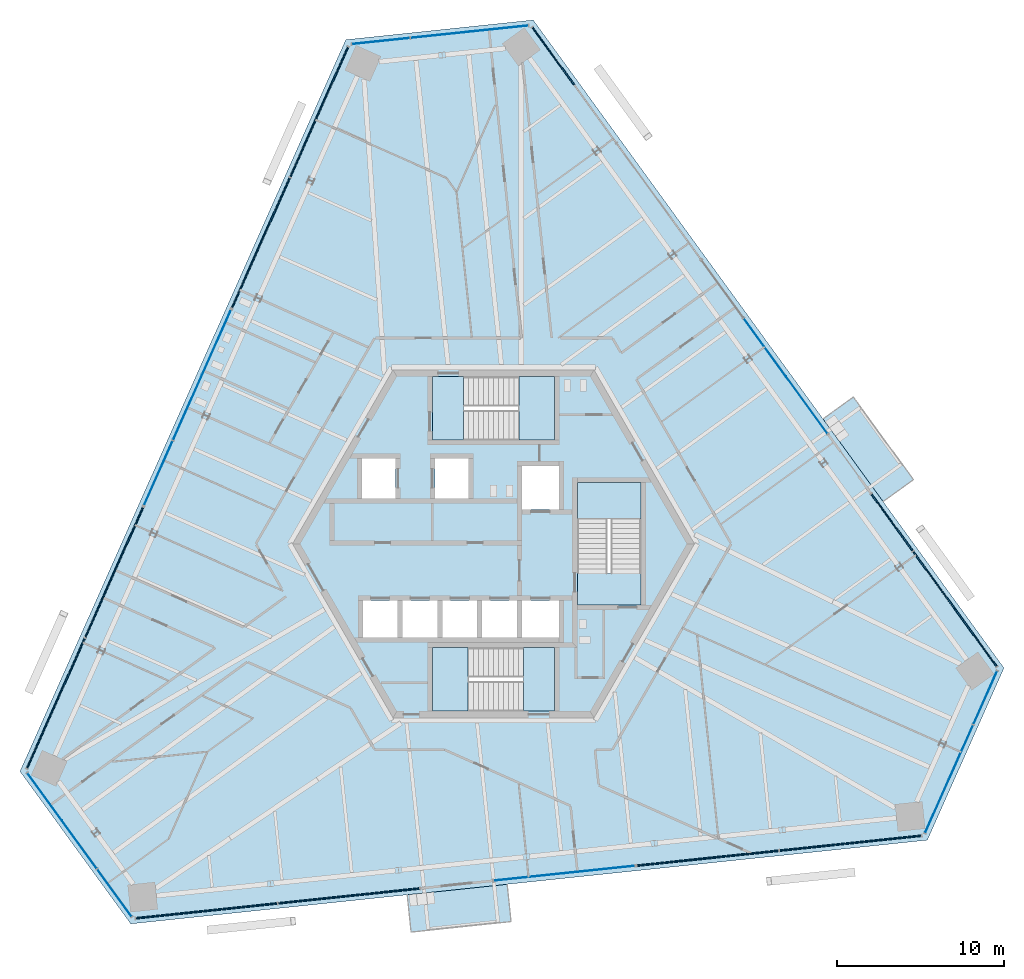
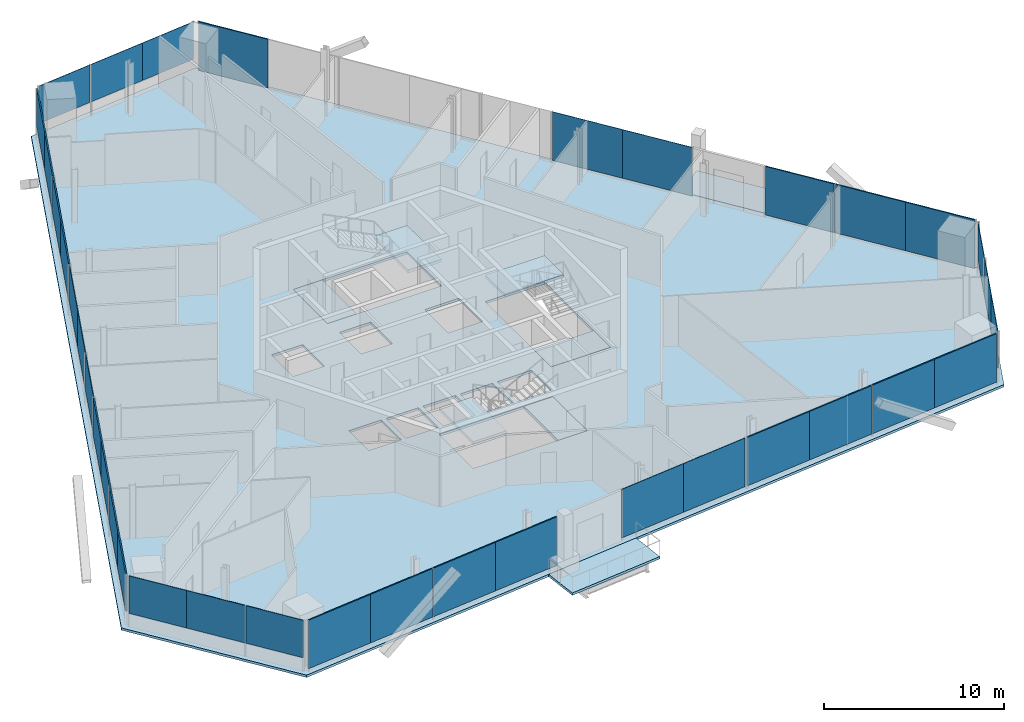
# One storey, part 10 of 19: 36 plates, 9 slabs, 15 elements without a shape of their own.
"""IFC4 building model written with IfcOpenShell, lengths in metres."""

from ifc_helpers import new_model, si_unit, direction, frame, origin, origin_2d, place, context, subcontext, project, spatial, polyline, rectangle, outline, extrude, source, transform, mapped, material, layer, layer_set, type_object, element, aggregate, save


model = new_model("IFC4")

# Units and contexts
model_context = context("Model", 3, precision=1e-05, world=origin(), true_north=direction((0.0, 1.0)))
body_context = subcontext(model_context, "Body", "Model", "MODEL_VIEW")
ifc_project = project(units=[si_unit("LENGTHUNIT", "METRE"), si_unit("AREAUNIT", "SQUARE_METRE"), si_unit("VOLUMEUNIT", "CUBIC_METRE"), si_unit("PLANEANGLEUNIT", "RADIAN"), si_unit("MASSUNIT", "GRAM", prefix="KILO")], contexts=[model_context])

# Site, building, storey
site_placement = place(None, origin())
site = spatial("IfcSite", under=ifc_project, at=site_placement, CompositionType="ELEMENT")
building_placement = place(site_placement, origin())
building = spatial("IfcBuilding", under=site, at=building_placement, Name="Triune Harvest Tower", CompositionType="ELEMENT")
storey_placement = place(building_placement, frame((0.0, 0.0, 223.300048828125)))
storey = spatial("IfcBuildingStorey", under=building, at=storey_placement, Name="L58", CompositionType="ELEMENT", Elevation=223.300048828125)

# Slabs
ifc_material_1 = material(Name="Concrete 40 MPa", Category="concrete")
ifc_layer_1 = layer(ifc_material_1, 0.159912109375)
ifc_layer_set_1 = layer_set([ifc_layer_1], Name="Concrete 40 MPa")
slab_type_1 = type_object("IfcSlabType", Name="BA-1 balcony slab 160", PredefinedType="FLOOR", material=ifc_layer_set_1)
slab_1_placement = place(storey_placement, frame((0.0, 0.0, -0.16015625)))
element("IfcSlab", 1, at=slab_1_placement, inside=storey, type_object=slab_type_1, Name="Balcony slab B6-F1 L58.4", PredefinedType="FLOOR", context=body_context, shape_type="SweptSolid", body=[
    extrude(outline(polyline([(23.263427734375, 2.52294921875), (19.67822265625, 7.457763671875), (21.48583984375, 8.77099609375), (25.0712890625, 3.83642578125), (23.263427734375, 2.52294921875)])), origin(), (0.0, 0.0, 1.0), 0.16015625),
])
slab_2_placement = place(storey_placement, frame((0.0, 0.0, -0.16015625)))
element("IfcSlab", 2, at=slab_2_placement, inside=storey, type_object=slab_type_1, Name="Balcony slab B6-F5 L58.5", PredefinedType="FLOOR", context=body_context, shape_type="SweptSolid", body=[
    extrude(outline(polyline([(-5.154052734375, -20.95703125), (0.81298828125, -20.329833984375), (1.046630859375, -22.552001953125), (-4.92041015625, -23.17919921875), (-5.154052734375, -20.95703125)])), origin(), (0.0, 0.0, 1.0), 0.16015625),
])
ifc_material_2 = material(Name="Concrete 40 MPa", Category="concrete")
ifc_layer_2 = layer(ifc_material_2, 0.159912109375)
ifc_layer_set_2 = layer_set([ifc_layer_2], Name="Concrete 40 MPa")
slab_type_2 = type_object("IfcSlabType", Name="SL-1 Composite floor slab 160", PredefinedType="FLOOR", material=ifc_layer_set_2)
shared_shape_1 = source(origin(), body_context, "Body", "SweptSolid", [
    extrude(outline(polyline([(30.481689453125, -7.412109375), (2.3701171875, 31.280517578125), (-8.82177734375, 30.10400390625), (-28.274658203125, -13.587646484375), (-21.659912109375, -22.69189453125), (25.904541015625, -17.692626953125), (30.481689453125, -7.412109375)]), holes=[polyline([(-5.72509765625, -5.590087890625), (-5.72509765625, -3.389892578125), (-7.800048828125, -3.389892578125), (-7.800048828125, -5.590087890625), (-5.72509765625, -5.590087890625)]), polyline([(-3.35009765625, -5.590087890625), (-3.35009765625, -3.389892578125), (-5.425048828125, -3.389892578125), (-5.425048828125, -5.590087890625), (-3.35009765625, -5.590087890625)]), polyline([(-0.97509765625, -5.590087890625), (-0.97509765625, -3.389892578125), (-3.050048828125, -3.389892578125), (-3.050048828125, -5.590087890625), (-0.97509765625, -5.590087890625)]), polyline([(1.39990234375, -5.590087890625), (1.39990234375, -3.389892578125), (-0.675048828125, -3.389892578125), (-0.675048828125, -5.590087890625), (1.39990234375, -5.590087890625)]), polyline([(3.89990234375, 2.06005859375), (3.89990234375, 4.659912109375), (1.699951171875, 4.659912109375), (1.699951171875, 2.06005859375), (3.89990234375, 2.06005859375)]), polyline([(3.89990234375, -5.590087890625), (3.89990234375, -3.389892578125), (1.699951171875, -3.389892578125), (1.699951171875, -5.590087890625), (3.89990234375, -5.590087890625)]), polyline([(-5.85009765625, 2.7099609375), (-5.85009765625, 5.110107421875), (-7.85009765625, 5.110107421875), (-7.85009765625, 2.7099609375), (-5.85009765625, 2.7099609375)]), polyline([(-1.5, 2.7099609375), (-1.5, 5.110107421875), (-3.5, 5.110107421875), (-3.5, 2.7099609375), (-1.5, 2.7099609375)]), polyline([(3.64990234375, 6.18994140625), (3.64990234375, 9.989990234375), (-3.64990234375, 9.989990234375), (-3.64990234375, 6.18994140625), (3.64990234375, 6.18994140625)]), polyline([(3.64990234375, -9.989990234375), (3.64990234375, -6.18994140625), (-3.64990234375, -6.18994140625), (-3.64990234375, -9.989990234375), (3.64990234375, -9.989990234375)]), polyline([(8.800048828125, -3.64990234375), (8.800048828125, 3.64990234375), (5.0, 3.64990234375), (5.0, -3.64990234375), (8.800048828125, -3.64990234375)])]), origin(), (0.0, 0.0, 1.0), 0.16015625),
])
slab_3_placement = place(storey_placement, frame((0.0, 0.0, -0.16015625)))
element("IfcSlab", 3, at=slab_3_placement, inside=storey, type_object=slab_type_2, Name="slab/L58/1", PredefinedType="FLOOR", context=body_context, shape_type="MappedRepresentation", body=[
    mapped(shared_shape_1, transform((0.0, 0.0, 0.0), scale=1.0)),
])

# Stair, slabs
ifc_material_3 = material(Name="Concrete 40 MPa", Category="concrete")
stair_type = type_object("IfcStairType", Name="Exit stair 1800 half turn", PredefinedType="HALF_TURN_STAIR", material=ifc_material_3)
stair_1_placement = place(storey_placement, origin())
stair_1 = element("IfcStair", 4, at=stair_1_placement, inside=storey, type_object=stair_type, Name="Exit stair north", PredefinedType="HALF_TURN_STAIR")
ifc_material_4 = material(Name="Concrete 40 MPa", Category="concrete")
ifc_layer_3 = layer(ifc_material_4, 0.199951171875)
ifc_layer_set_3 = layer_set([ifc_layer_3], Name="Concrete 40 MPa")
slab_type_3 = type_object("IfcSlabType", Name="Stair landing 200", PredefinedType="LANDING", material=ifc_layer_set_3)
shared_shape_2 = source(origin(), body_context, "Body", "SweptSolid", [
    extrude(outline(polyline([(-3.64990234375, 6.18994140625), (-1.780029296875, 6.18994140625), (-1.780029296875, 9.989990234375), (-3.64990234375, 9.989990234375), (-3.64990234375, 6.18994140625)])), origin(), (0.0, 0.0, 1.0), 0.199951171875),
])
slab_4_placement = place(storey_placement, frame((0.0, 0.0, -0.199951171875)))
slab_4 = element("IfcSlab", 5, at=slab_4_placement, type_object=slab_type_3, Name="ST-1 landing 1", PredefinedType="LANDING", context=body_context, shape_type="MappedRepresentation", body=[
    mapped(shared_shape_2, transform((0.0, 0.0, 0.0), scale=1.0)),
])
shared_shape_3 = source(origin(), body_context, "Body", "SweptSolid", [
    extrude(outline(polyline([(1.510009765625, 6.18994140625), (3.64990234375, 6.18994140625), (3.64990234375, 9.989990234375), (1.510009765625, 9.989990234375), (1.510009765625, 6.18994140625)])), origin(), (0.0, 0.0, 1.0), 0.2001953125),
])
slab_5_placement = place(storey_placement, frame((0.0, 0.0, 1.599853515625)))
slab_5 = element("IfcSlab", 6, at=slab_5_placement, type_object=slab_type_3, Name="ST-1 landing 2", PredefinedType="LANDING", context=body_context, shape_type="MappedRepresentation", body=[
    mapped(shared_shape_3, transform((0.0, 0.0, 0.0), scale=1.0)),
])
aggregate(stair_1, [slab_4, slab_5])

stair_2_placement = place(storey_placement, origin())
stair_2 = element("IfcStair", 7, at=stair_2_placement, inside=storey, type_object=stair_type, Name="Exit stair south", PredefinedType="HALF_TURN_STAIR")
shared_shape_4 = source(origin(), body_context, "Body", "SweptSolid", [
    extrude(outline(polyline([(3.64990234375, -6.18994140625), (1.780029296875, -6.18994140625), (1.780029296875, -9.989990234375), (3.64990234375, -9.989990234375), (3.64990234375, -6.18994140625)])), origin(), (0.0, 0.0, 1.0), 0.199951171875),
])
slab_6_placement = place(storey_placement, frame((0.0, 0.0, -0.199951171875)))
slab_6 = element("IfcSlab", 8, at=slab_6_placement, type_object=slab_type_3, Name="ST-2 landing 1", PredefinedType="LANDING", context=body_context, shape_type="MappedRepresentation", body=[
    mapped(shared_shape_4, transform((0.0, 0.0, 0.0), scale=1.0)),
])
shared_shape_5 = source(origin(), body_context, "Body", "SweptSolid", [
    extrude(outline(polyline([(-1.510009765625, -6.18994140625), (-3.64990234375, -6.18994140625), (-3.64990234375, -9.989990234375), (-1.510009765625, -9.989990234375), (-1.510009765625, -6.18994140625)])), origin(), (0.0, 0.0, 1.0), 0.2001953125),
])
slab_7_placement = place(storey_placement, frame((0.0, 0.0, 1.599853515625)))
slab_7 = element("IfcSlab", 9, at=slab_7_placement, type_object=slab_type_3, Name="ST-2 landing 2", PredefinedType="LANDING", context=body_context, shape_type="MappedRepresentation", body=[
    mapped(shared_shape_5, transform((0.0, 0.0, 0.0), scale=1.0)),
])
aggregate(stair_2, [slab_6, slab_7])

stair_3_placement = place(storey_placement, origin())
stair_3 = element("IfcStair", 10, at=stair_3_placement, inside=storey, type_object=stair_type, Name="Exit stair east", PredefinedType="HALF_TURN_STAIR")
shared_shape_6 = source(origin(), body_context, "Body", "SweptSolid", [
    extrude(outline(polyline([(8.800048828125, -3.64990234375), (8.800048828125, -1.780029296875), (5.0, -1.780029296875), (5.0, -3.64990234375), (8.800048828125, -3.64990234375)])), origin(), (0.0, 0.0, 1.0), 0.199951171875),
])
slab_8_placement = place(storey_placement, frame((0.0, 0.0, -0.199951171875)))
slab_8 = element("IfcSlab", 11, at=slab_8_placement, type_object=slab_type_3, Name="ST-3 landing 1", PredefinedType="LANDING", context=body_context, shape_type="MappedRepresentation", body=[
    mapped(shared_shape_6, transform((0.0, 0.0, 0.0), scale=1.0)),
])
shared_shape_7 = source(origin(), body_context, "Body", "SweptSolid", [
    extrude(outline(polyline([(8.800048828125, 1.510009765625), (8.800048828125, 3.64990234375), (5.0, 3.64990234375), (5.0, 1.510009765625), (8.800048828125, 1.510009765625)])), origin(), (0.0, 0.0, 1.0), 0.2001953125),
])
slab_9_placement = place(storey_placement, frame((0.0, 0.0, 1.599853515625)))
slab_9 = element("IfcSlab", 12, at=slab_9_placement, type_object=slab_type_3, Name="ST-3 landing 2", PredefinedType="LANDING", context=body_context, shape_type="MappedRepresentation", body=[
    mapped(shared_shape_7, transform((0.0, 0.0, 0.0), scale=1.0)),
])
aggregate(stair_3, [slab_8, slab_9])

# Curtain wall, plate
ifc_material_5 = material(Name="Aluminium bronze anodised", Category="aluminium")
curtain_wall_type_1 = type_object("IfcCurtainWallType", Name="CW-1 Tower stick curtain wall", PredefinedType="NOTDEFINED", material=ifc_material_5)
curtain_wall_1_placement = place(storey_placement, origin())
curtain_wall_1 = element("IfcCurtainWall", 13, at=curtain_wall_1_placement, inside=storey, type_object=curtain_wall_type_1, Name="CW-1 B6-F2 L58 run 1")
ifc_material_6 = material(Name="Glass", Category="glass")
ifc_layer_4 = layer(ifc_material_6, 0.031982421875)
ifc_layer_set_4 = layer_set([ifc_layer_4], Name="Glass")
plate_type_1 = type_object("IfcPlateType", Name="GL-1 panel 32", PredefinedType="CURTAIN_PANEL", material=ifc_layer_set_4)
shared_shape_8 = source(origin(), body_context, "Body", "SweptSolid", [
    extrude(rectangle(XDim=3.500732421875, YDim=0.031982421875, at=origin_2d()), origin(), (0.0, 0.0, 1.0), 2.5400390625),
])
plate_1_placement = place(storey_placement, frame((0.32421875, 30.763671875, 0.89990234375), z_axis=(0.0, 0.0, 1.0), x_axis=(-0.994521768229, -0.104529672907, 0.0)))
plate_1 = element("IfcPlate", 14, at=plate_1_placement, type_object=plate_type_1, Name="CW-1 panel B6-F2 1.1", PredefinedType="CURTAIN_PANEL", context=body_context, shape_type="MappedRepresentation", body=[
    mapped(shared_shape_8, transform((0.0, 0.0, 0.0), scale=1.0)),
])

curtain_wall_2_placement = place(storey_placement, origin())
curtain_wall_2 = element("IfcCurtainWall", 15, at=curtain_wall_2_placement, inside=storey, type_object=curtain_wall_type_1, Name="CW-1 B6-F4 L58 run 1")
plate_2_placement = place(storey_placement, frame((-26.80419921875, -15.10107421875, 0.89990234375), z_axis=(0.0, 0.0, 1.0), x_axis=(0.587788936013, -0.809014317982, 0.0)))
plate_2 = element("IfcPlate", 16, at=plate_2_placement, type_object=plate_type_1, Name="CW-1 panel B6-F4 1.1", PredefinedType="CURTAIN_PANEL", context=body_context, shape_type="MappedRepresentation", body=[
    mapped(shared_shape_8, transform((0.0, 0.0, 0.0), scale=1.0)),
])

curtain_wall_3_placement = place(storey_placement, origin())
curtain_wall_3 = element("IfcCurtainWall", 17, at=curtain_wall_3_placement, inside=storey, type_object=curtain_wall_type_1, Name="CW-1 B6-F6 L58 run 1")
plate_3_placement = place(storey_placement, frame((26.47998046875, -15.66259765625, 0.89990234375), z_axis=(0.0, 0.0, 1.0), x_axis=(0.406743216086, 0.913542531121, 0.0)))
plate_3 = element("IfcPlate", 18, at=plate_3_placement, type_object=plate_type_1, Name="CW-1 panel B6-F6 1.1", PredefinedType="CURTAIN_PANEL", context=body_context, shape_type="MappedRepresentation", body=[
    mapped(shared_shape_8, transform((0.0, 0.0, 0.0), scale=1.0)),
])

# Plate
shared_shape_9 = source(origin(), body_context, "Body", "SweptSolid", [
    extrude(rectangle(XDim=3.5380859375, YDim=0.031982421875, at=origin_2d()), origin(), (0.0, 0.0, 1.0), 2.5400390625),
])
plate_4_placement = place(storey_placement, frame((-3.17578125, 30.395751953125, 0.89990234375), z_axis=(0.0, 0.0, 1.0), x_axis=(-0.994521768229, -0.104529672907, 0.0)))
plate_4 = element("IfcPlate", 19, at=plate_4_placement, type_object=plate_type_1, Name="CW-1 panel B6-F2 1.2", PredefinedType="CURTAIN_PANEL", context=body_context, shape_type="MappedRepresentation", body=[
    mapped(shared_shape_9, transform((0.0, 0.0, 0.0), scale=1.0)),
])

plate_5_placement = place(storey_placement, frame((-24.735595703125, -17.9482421875, 0.89990234375), z_axis=(0.0, 0.0, 1.0), x_axis=(0.587788936013, -0.809014317982, 0.0)))
plate_5 = element("IfcPlate", 20, at=plate_5_placement, type_object=plate_type_1, Name="CW-1 panel B6-F4 1.2", PredefinedType="CURTAIN_PANEL", context=body_context, shape_type="MappedRepresentation", body=[
    mapped(shared_shape_9, transform((0.0, 0.0, 0.0), scale=1.0)),
])

plate_6_placement = place(storey_placement, frame((27.91162109375, -12.447509765625, 0.89990234375), z_axis=(0.0, 0.0, 1.0), x_axis=(0.406743216086, 0.913542531121, 0.0)))
plate_6 = element("IfcPlate", 21, at=plate_6_placement, type_object=plate_type_1, Name="CW-1 panel B6-F6 1.2", PredefinedType="CURTAIN_PANEL", context=body_context, shape_type="MappedRepresentation", body=[
    mapped(shared_shape_9, transform((0.0, 0.0, 0.0), scale=1.0)),
])

shared_shape_10 = source(origin(), body_context, "Body", "SweptSolid", [
    extrude(rectangle(XDim=3.463134765625, YDim=0.031982421875, at=origin_2d()), origin(), (0.0, 0.0, 1.0), 2.5400390625),
])
plate_7_placement = place(storey_placement, frame((-6.73193359375, 30.02197265625, 0.89990234375), z_axis=(0.0, 0.0, 1.0), x_axis=(-0.994521768229, -0.104529672907, 0.0)))
plate_7 = element("IfcPlate", 22, at=plate_7_placement, type_object=plate_type_1, Name="CW-1 panel B6-F2 1.3", PredefinedType="CURTAIN_PANEL", context=body_context, shape_type="MappedRepresentation", body=[
    mapped(shared_shape_10, transform((0.0, 0.0, 0.0), scale=1.0)),
])

aggregate(curtain_wall_1, [plate_1, plate_4, plate_7])

plate_8_placement = place(storey_placement, frame((-22.6337890625, -20.841064453125, 0.89990234375), z_axis=(0.0, 0.0, 1.0), x_axis=(0.587788936013, -0.809014317982, 0.0)))
plate_8 = element("IfcPlate", 23, at=plate_8_placement, type_object=plate_type_1, Name="CW-1 panel B6-F4 1.3", PredefinedType="CURTAIN_PANEL", context=body_context, shape_type="MappedRepresentation", body=[
    mapped(shared_shape_10, transform((0.0, 0.0, 0.0), scale=1.0)),
])

aggregate(curtain_wall_2, [plate_2, plate_5, plate_8])

plate_9_placement = place(storey_placement, frame((29.365966796875, -9.180908203125, 0.89990234375), z_axis=(0.0, 0.0, 1.0), x_axis=(0.406743216086, 0.913542531121, 0.0)))
plate_9 = element("IfcPlate", 24, at=plate_9_placement, type_object=plate_type_1, Name="CW-1 panel B6-F6 1.3", PredefinedType="CURTAIN_PANEL", context=body_context, shape_type="MappedRepresentation", body=[
    mapped(shared_shape_10, transform((0.0, 0.0, 0.0), scale=1.0)),
])

aggregate(curtain_wall_3, [plate_3, plate_6, plate_9])

# Curtain wall, plates
ifc_material_7 = material(Name="Aluminium bronze anodised", Category="aluminium")
curtain_wall_type_2 = type_object("IfcCurtainWallType", Name="CW-10 Balcony window wall with insulated spandrel infill", PredefinedType="NOTDEFINED", material=ifc_material_7)
curtain_wall_4_placement = place(storey_placement, origin())
curtain_wall_4 = element("IfcCurtainWall", 25, at=curtain_wall_4_placement, inside=storey, type_object=curtain_wall_type_2, Name="CW-10 B6-F1 L58 run 1")
ifc_material_8 = material(Name="Insulated spandrel panel, bronze aluminium pan", Category="aluminium")
ifc_layer_5 = layer(ifc_material_8, 0.080078125)
ifc_layer_set_5 = layer_set([ifc_layer_5], Name="Insulated spandrel panel, bronze aluminium pan")
plate_type_2 = type_object("IfcPlateType", Name="SP-1 insulated spandrel panel 80", PredefinedType="CURTAIN_PANEL", material=ifc_layer_set_5)
shared_shape_11 = source(origin(), body_context, "Body", "SweptSolid", [
    extrude(rectangle(XDim=4.21142578125, YDim=0.080078125, at=origin_2d()), origin(), (0.0, 0.0, 1.0), 3.2900390625),
])
plate_10_placement = place(storey_placement, frame((28.802734375, -5.611328125, 0.14990234375), z_axis=(0.0, 0.0, 1.0), x_axis=(-0.587785672066, 0.809016689391, 0.0)))
plate_10 = element("IfcPlate", 26, at=plate_10_placement, type_object=plate_type_2, Name="CW-10 panel B6-F1 1.1", PredefinedType="CURTAIN_PANEL", context=body_context, shape_type="MappedRepresentation", body=[
    mapped(shared_shape_11, transform((0.0, 0.0, 0.0), scale=1.0)),
])
shared_shape_12 = source(origin(), body_context, "Body", "SweptSolid", [
    extrude(rectangle(XDim=4.248779296875, YDim=0.080078125, at=origin_2d()), origin(), (0.0, 0.0, 1.0), 3.2900390625),
])
plate_11_placement = place(storey_placement, frame((26.316162109375, -2.189208984375, 0.14990234375), z_axis=(0.0, 0.0, 1.0), x_axis=(-0.587785672066, 0.809016689391, 0.0)))
plate_11 = element("IfcPlate", 27, at=plate_11_placement, type_object=plate_type_2, Name="CW-10 panel B6-F1 1.2", PredefinedType="CURTAIN_PANEL", context=body_context, shape_type="MappedRepresentation", body=[
    mapped(shared_shape_12, transform((0.0, 0.0, 0.0), scale=1.0)),
])
shared_shape_13 = source(origin(), body_context, "Body", "SweptSolid", [
    extrude(rectangle(XDim=4.173828125, YDim=0.080078125, at=origin_2d()), origin(), (0.0, 0.0, 1.0), 3.2900390625),
])
plate_12_placement = place(storey_placement, frame((23.796630859375, 1.278564453125, 0.14990234375), z_axis=(0.0, 0.0, 1.0), x_axis=(-0.587785672066, 0.809016689391, 0.0)))
plate_12 = element("IfcPlate", 28, at=plate_12_placement, type_object=plate_type_2, Name="CW-10 panel B6-F1 1.3", PredefinedType="CURTAIN_PANEL", context=body_context, shape_type="MappedRepresentation", body=[
    mapped(shared_shape_13, transform((0.0, 0.0, 0.0), scale=1.0)),
])
aggregate(curtain_wall_4, [plate_10, plate_11, plate_12])

ifc_material_9 = material(Name="Aluminium bronze anodised", Category="aluminium")
curtain_wall_type_3 = type_object("IfcCurtainWallType", Name="CW-6 Balcony window wall", PredefinedType="NOTDEFINED", material=ifc_material_9)
curtain_wall_5_placement = place(storey_placement, origin())
curtain_wall_5 = element("IfcCurtainWall", 29, at=curtain_wall_5_placement, inside=storey, type_object=curtain_wall_type_3, Name="CW-6 B6-F1 L58 run 2")
ifc_material_10 = material(Name="Glass", Category="glass")
ifc_layer_6 = layer(ifc_material_10, 0.030029296875)
ifc_layer_set_6 = layer_set([ifc_layer_6], Name="Glass")
plate_type_3 = type_object("IfcPlateType", Name="GL-6 panel 30", PredefinedType="CURTAIN_PANEL", material=ifc_layer_set_6)
shared_shape_14 = source(origin(), body_context, "Body", "SweptSolid", [
    extrude(rectangle(XDim=4.228515625, YDim=0.030029296875, at=origin_2d()), origin(), (0.0, 0.0, 1.0), 3.2900390625),
])
plate_13_placement = place(storey_placement, frame((18.7021484375, 8.290771484375, 0.14990234375), z_axis=(0.0, 0.0, 1.0), x_axis=(-0.587785566124, 0.809016766363, 0.0)))
plate_13 = element("IfcPlate", 30, at=plate_13_placement, type_object=plate_type_3, Name="CW-6 panel B6-F1 2.1", PredefinedType="CURTAIN_PANEL", context=body_context, shape_type="MappedRepresentation", body=[
    mapped(shared_shape_14, transform((0.0, 0.0, 0.0), scale=1.0)),
])
shared_shape_15 = source(origin(), body_context, "Body", "SweptSolid", [
    extrude(rectangle(XDim=4.26611328125, YDim=0.030029296875, at=origin_2d()), origin(), (0.0, 0.0, 1.0), 3.2900390625),
])
plate_14_placement = place(storey_placement, frame((16.20556640625, 11.72705078125, 0.14990234375), z_axis=(0.0, 0.0, 1.0), x_axis=(-0.587785566124, 0.809016766363, 0.0)))
plate_14 = element("IfcPlate", 31, at=plate_14_placement, type_object=plate_type_3, Name="CW-6 panel B6-F1 2.2", PredefinedType="CURTAIN_PANEL", context=body_context, shape_type="MappedRepresentation", body=[
    mapped(shared_shape_15, transform((0.0, 0.0, 0.0), scale=1.0)),
])
aggregate(curtain_wall_5, [plate_13, plate_14])

# Curtain wall, plate
curtain_wall_6_placement = place(storey_placement, origin())
curtain_wall_6 = element("IfcCurtainWall", 32, at=curtain_wall_6_placement, inside=storey, type_object=curtain_wall_type_2, Name="CW-10 B6-F1 L58 run 1002")
shared_shape_16 = source(origin(), body_context, "Body", "SweptSolid", [
    extrude(rectangle(XDim=4.228515625, YDim=0.080078125, at=origin_2d()), origin(), (0.0, 0.0, 1.0), 3.2900390625),
])
plate_15_placement = place(storey_placement, frame((3.56884765625, 29.119873046875, 0.14990234375), z_axis=(0.0, 0.0, 1.0), x_axis=(-0.587785751519, 0.809016631665, 0.0)))
plate_15 = element("IfcPlate", 33, at=plate_15_placement, type_object=plate_type_2, Name="CW-10 panel B6-F1 1002.4", PredefinedType="CURTAIN_PANEL", context=body_context, shape_type="MappedRepresentation", body=[
    mapped(shared_shape_16, transform((0.0, 0.0, 0.0), scale=1.0)),
])
aggregate(curtain_wall_6, [plate_15])

# Curtain wall, plates
ifc_material_11 = material(Name="Aluminium bronze anodised", Category="aluminium")
curtain_wall_type_4 = type_object("IfcCurtainWallType", Name="CW-7 Tower stick curtain wall with insulated spandrel infill", PredefinedType="NOTDEFINED", material=ifc_material_11)
curtain_wall_7_placement = place(storey_placement, origin())
curtain_wall_7 = element("IfcCurtainWall", 34, at=curtain_wall_7_placement, inside=storey, type_object=curtain_wall_type_4, Name="CW-7 B6-F3 L58 run 1")
shared_shape_17 = source(origin(), body_context, "Body", "SweptSolid", [
    extrude(rectangle(XDim=4.22509765625, YDim=0.080078125, at=origin_2d()), origin(), (0.0, 0.0, 1.0), 2.5400390625),
])
plate_16_placement = place(storey_placement, frame((-9.54443359375, 27.7431640625, 0.89990234375), z_axis=(0.0, 0.0, 1.0), x_axis=(-0.406735634323, -0.913545906768, 0.0)))
plate_16 = element("IfcPlate", 35, at=plate_16_placement, type_object=plate_type_2, Name="CW-7 panel B6-F3 1.1", PredefinedType="CURTAIN_PANEL", context=body_context, shape_type="MappedRepresentation", body=[
    mapped(shared_shape_17, transform((0.0, 0.0, 0.0), scale=1.0)),
])
plate_17_placement = place(storey_placement, frame((-14.7607421875, 16.02685546875, 0.89990234375), z_axis=(0.0, 0.0, 1.0), x_axis=(-0.406735634323, -0.913545906768, 0.0)))
plate_17 = element("IfcPlate", 36, at=plate_17_placement, type_object=plate_type_2, Name="CW-7 panel B6-F3 1.4", PredefinedType="CURTAIN_PANEL", context=body_context, shape_type="MappedRepresentation", body=[
    mapped(shared_shape_17, transform((0.0, 0.0, 0.0), scale=1.0)),
])

curtain_wall_8_placement = place(storey_placement, origin())
curtain_wall_8 = element("IfcCurtainWall", 37, at=curtain_wall_8_placement, inside=storey, type_object=curtain_wall_type_4, Name="CW-7 B6-F3 L58 run 2001")
plate_18_placement = place(storey_placement, frame((-21.787353515625, 0.245361328125, 0.89990234375), z_axis=(0.0, 0.0, 1.0), x_axis=(-0.406735634323, -0.913545906768, 0.0)))
plate_18 = element("IfcPlate", 38, at=plate_18_placement, type_object=plate_type_2, Name="CW-7 panel B6-F3 2001.1", PredefinedType="CURTAIN_PANEL", context=body_context, shape_type="MappedRepresentation", body=[
    mapped(shared_shape_17, transform((0.0, 0.0, 0.0), scale=1.0)),
])
plate_19_placement = place(storey_placement, frame((-27.003662109375, -11.470947265625, 0.89990234375), z_axis=(0.0, 0.0, 1.0), x_axis=(-0.406735634323, -0.913545906768, 0.0)))
plate_19 = element("IfcPlate", 39, at=plate_19_placement, type_object=plate_type_2, Name="CW-7 panel B6-F3 2001.4", PredefinedType="CURTAIN_PANEL", context=body_context, shape_type="MappedRepresentation", body=[
    mapped(shared_shape_17, transform((0.0, 0.0, 0.0), scale=1.0)),
])

# Plate
shared_shape_18 = source(origin(), body_context, "Body", "SweptSolid", [
    extrude(rectangle(XDim=4.262451171875, YDim=0.080078125, at=origin_2d()), origin(), (0.0, 0.0, 1.0), 2.5400390625),
])
plate_20_placement = place(storey_placement, frame((-11.2705078125, 23.8662109375, 0.89990234375), z_axis=(0.0, 0.0, 1.0), x_axis=(-0.406735634323, -0.913545906768, 0.0)))
plate_20 = element("IfcPlate", 40, at=plate_20_placement, type_object=plate_type_2, Name="CW-7 panel B6-F3 1.2", PredefinedType="CURTAIN_PANEL", context=body_context, shape_type="MappedRepresentation", body=[
    mapped(shared_shape_18, transform((0.0, 0.0, 0.0), scale=1.0)),
])

plate_21_placement = place(storey_placement, frame((-13.03466796875, 19.90380859375, 0.89990234375), z_axis=(0.0, 0.0, 1.0), x_axis=(-0.406735634323, -0.913545906768, 0.0)))
plate_21 = element("IfcPlate", 41, at=plate_21_placement, type_object=plate_type_2, Name="CW-7 panel B6-F3 1.3", PredefinedType="CURTAIN_PANEL", context=body_context, shape_type="MappedRepresentation", body=[
    mapped(shared_shape_18, transform((0.0, 0.0, 0.0), scale=1.0)),
])

aggregate(curtain_wall_7, [plate_16, plate_20, plate_21, plate_17])

plate_22_placement = place(storey_placement, frame((-23.513427734375, -3.631591796875, 0.89990234375), z_axis=(0.0, 0.0, 1.0), x_axis=(-0.406735634323, -0.913545906768, 0.0)))
plate_22 = element("IfcPlate", 42, at=plate_22_placement, type_object=plate_type_2, Name="CW-7 panel B6-F3 2001.2", PredefinedType="CURTAIN_PANEL", context=body_context, shape_type="MappedRepresentation", body=[
    mapped(shared_shape_18, transform((0.0, 0.0, 0.0), scale=1.0)),
])

plate_23_placement = place(storey_placement, frame((-25.277587890625, -7.593994140625, 0.89990234375), z_axis=(0.0, 0.0, 1.0), x_axis=(-0.406735634323, -0.913545906768, 0.0)))
plate_23 = element("IfcPlate", 43, at=plate_23_placement, type_object=plate_type_2, Name="CW-7 panel B6-F3 2001.3", PredefinedType="CURTAIN_PANEL", context=body_context, shape_type="MappedRepresentation", body=[
    mapped(shared_shape_18, transform((0.0, 0.0, 0.0), scale=1.0)),
])

aggregate(curtain_wall_8, [plate_18, plate_22, plate_23, plate_19])

# Curtain wall, plates
curtain_wall_9_placement = place(storey_placement, origin())
curtain_wall_9 = element("IfcCurtainWall", 44, at=curtain_wall_9_placement, inside=storey, type_object=curtain_wall_type_1, Name="CW-1 B6-F3 L58 run 1001")
shared_shape_19 = source(origin(), body_context, "Body", "SweptSolid", [
    extrude(rectangle(XDim=4.22509765625, YDim=0.031982421875, at=origin_2d()), origin(), (0.0, 0.0, 1.0), 2.5400390625),
])
plate_24_placement = place(storey_placement, frame((-16.540283203125, 12.030029296875, 0.89990234375), z_axis=(0.0, 0.0, 1.0), x_axis=(-0.406743986739, -0.913542187998, 0.0)))
plate_24 = element("IfcPlate", 45, at=plate_24_placement, type_object=plate_type_1, Name="CW-1 panel B6-F3 1001.1", PredefinedType="CURTAIN_PANEL", context=body_context, shape_type="MappedRepresentation", body=[
    mapped(shared_shape_19, transform((0.0, 0.0, 0.0), scale=1.0)),
])
shared_shape_20 = source(origin(), body_context, "Body", "SweptSolid", [
    extrude(rectangle(XDim=4.262451171875, YDim=0.031982421875, at=origin_2d()), origin(), (0.0, 0.0, 1.0), 2.5400390625),
])
plate_25_placement = place(storey_placement, frame((-18.266357421875, 8.1533203125, 0.89990234375), z_axis=(0.0, 0.0, 1.0), x_axis=(-0.406743986739, -0.913542187998, 0.0)))
plate_25 = element("IfcPlate", 46, at=plate_25_placement, type_object=plate_type_1, Name="CW-1 panel B6-F3 1001.2", PredefinedType="CURTAIN_PANEL", context=body_context, shape_type="MappedRepresentation", body=[
    mapped(shared_shape_20, transform((0.0, 0.0, 0.0), scale=1.0)),
])
shared_shape_21 = source(origin(), body_context, "Body", "SweptSolid", [
    extrude(rectangle(XDim=4.1875, YDim=0.031982421875, at=origin_2d()), origin(), (0.0, 0.0, 1.0), 2.5400390625),
])
plate_26_placement = place(storey_placement, frame((-20.015380859375, 4.22509765625, 0.89990234375), z_axis=(0.0, 0.0, 1.0), x_axis=(-0.406743986739, -0.913542187998, 0.0)))
plate_26 = element("IfcPlate", 47, at=plate_26_placement, type_object=plate_type_1, Name="CW-1 panel B6-F3 1001.3", PredefinedType="CURTAIN_PANEL", context=body_context, shape_type="MappedRepresentation", body=[
    mapped(shared_shape_21, transform((0.0, 0.0, 0.0), scale=1.0)),
])
aggregate(curtain_wall_9, [plate_24, plate_25, plate_26])

curtain_wall_10_placement = place(storey_placement, origin())
curtain_wall_10 = element("IfcCurtainWall", 48, at=curtain_wall_10_placement, inside=storey, type_object=curtain_wall_type_2, Name="CW-10 B6-F5 L58 run 1")
shared_shape_22 = source(origin(), body_context, "Body", "SweptSolid", [
    extrude(rectangle(XDim=4.218994140625, YDim=0.080078125, at=origin_2d()), origin(), (0.0, 0.0, 1.0), 3.2900390625),
])
plate_27_placement = place(storey_placement, frame((-19.257080078125, -22.1376953125, 0.14990234375), z_axis=(0.0, 0.0, 1.0), x_axis=(0.994521747579, 0.104529869379, 0.0)))
plate_27 = element("IfcPlate", 49, at=plate_27_placement, type_object=plate_type_2, Name="CW-10 panel B6-F5 1.1", PredefinedType="CURTAIN_PANEL", context=body_context, shape_type="MappedRepresentation", body=[
    mapped(shared_shape_22, transform((0.0, 0.0, 0.0), scale=1.0)),
])
plate_28_placement = place(storey_placement, frame((-6.5205078125, -20.799072265625, 0.14990234375), z_axis=(0.0, 0.0, 1.0), x_axis=(0.994521747579, 0.104529869379, 0.0)))
plate_28 = element("IfcPlate", 50, at=plate_28_placement, type_object=plate_type_2, Name="CW-10 panel B6-F5 1.4", PredefinedType="CURTAIN_PANEL", context=body_context, shape_type="MappedRepresentation", body=[
    mapped(shared_shape_22, transform((0.0, 0.0, 0.0), scale=1.0)),
])
shared_shape_23 = source(origin(), body_context, "Body", "SweptSolid", [
    extrude(rectangle(XDim=4.25634765625, YDim=0.080078125, at=origin_2d()), origin(), (0.0, 0.0, 1.0), 3.2900390625),
])
plate_29_placement = place(storey_placement, frame((-15.042724609375, -21.694580078125, 0.14990234375), z_axis=(0.0, 0.0, 1.0), x_axis=(0.994521747579, 0.104529869379, 0.0)))
plate_29 = element("IfcPlate", 51, at=plate_29_placement, type_object=plate_type_2, Name="CW-10 panel B6-F5 1.2", PredefinedType="CURTAIN_PANEL", context=body_context, shape_type="MappedRepresentation", body=[
    mapped(shared_shape_23, transform((0.0, 0.0, 0.0), scale=1.0)),
])
plate_30_placement = place(storey_placement, frame((-10.735107421875, -21.241943359375, 0.14990234375), z_axis=(0.0, 0.0, 1.0), x_axis=(0.994521747579, 0.104529869379, 0.0)))
plate_30 = element("IfcPlate", 52, at=plate_30_placement, type_object=plate_type_2, Name="CW-10 panel B6-F5 1.3", PredefinedType="CURTAIN_PANEL", context=body_context, shape_type="MappedRepresentation", body=[
    mapped(shared_shape_23, transform((0.0, 0.0, 0.0), scale=1.0)),
])
aggregate(curtain_wall_10, [plate_27, plate_29, plate_30, plate_28])

curtain_wall_11_placement = place(storey_placement, origin())
curtain_wall_11 = element("IfcCurtainWall", 53, at=curtain_wall_11_placement, inside=storey, type_object=curtain_wall_type_3, Name="CW-6 B6-F5 L58 run 2")
shared_shape_24 = source(origin(), body_context, "Body", "SweptSolid", [
    extrude(rectangle(XDim=4.226318359375, YDim=0.030029296875, at=origin_2d()), origin(), (0.0, 0.0, 1.0), 3.2900390625),
])
plate_31_placement = place(storey_placement, frame((2.120849609375, -19.890625, 0.14990234375), z_axis=(0.0, 0.0, 1.0), x_axis=(0.994521729231, 0.104530043945, 0.0)))
plate_31 = element("IfcPlate", 54, at=plate_31_placement, type_object=plate_type_3, Name="CW-6 panel B6-F5 2.1", PredefinedType="CURTAIN_PANEL", context=body_context, shape_type="MappedRepresentation", body=[
    mapped(shared_shape_24, transform((0.0, 0.0, 0.0), scale=1.0)),
])
plate_32_placement = place(storey_placement, frame((6.323974609375, -19.448974609375, 0.14990234375), z_axis=(0.0, 0.0, 1.0), x_axis=(0.994521729231, 0.104530043945, 0.0)))
plate_32 = element("IfcPlate", 55, at=plate_32_placement, type_object=plate_type_3, Name="CW-6 panel B6-F5 2.2", PredefinedType="CURTAIN_PANEL", context=body_context, shape_type="MappedRepresentation", body=[
    mapped(shared_shape_24, transform((0.0, 0.0, 0.0), scale=1.0)),
])
aggregate(curtain_wall_11, [plate_31, plate_32])

curtain_wall_12_placement = place(storey_placement, origin())
curtain_wall_12 = element("IfcCurtainWall", 56, at=curtain_wall_12_placement, inside=storey, type_object=curtain_wall_type_2, Name="CW-10 B6-F5 L58 run 1002")
shared_shape_25 = source(origin(), body_context, "Body", "SweptSolid", [
    extrude(rectangle(XDim=4.226318359375, YDim=0.080078125, at=origin_2d()), origin(), (0.0, 0.0, 1.0), 3.2900390625),
])
plate_33_placement = place(storey_placement, frame((10.676513671875, -18.991455078125, 0.14990234375), z_axis=(0.0, 0.0, 1.0), x_axis=(0.994521756752, 0.104529782104, 0.0)))
plate_33 = element("IfcPlate", 57, at=plate_33_placement, type_object=plate_type_2, Name="CW-10 panel B6-F5 1002.1", PredefinedType="CURTAIN_PANEL", context=body_context, shape_type="MappedRepresentation", body=[
    mapped(shared_shape_25, transform((0.0, 0.0, 0.0), scale=1.0)),
])
plate_34_placement = place(storey_placement, frame((23.435302734375, -17.650390625, 0.14990234375), z_axis=(0.0, 0.0, 1.0), x_axis=(0.994521756752, 0.104529782104, 0.0)))
plate_34 = element("IfcPlate", 58, at=plate_34_placement, type_object=plate_type_2, Name="CW-10 panel B6-F5 1002.4", PredefinedType="CURTAIN_PANEL", context=body_context, shape_type="MappedRepresentation", body=[
    mapped(shared_shape_25, transform((0.0, 0.0, 0.0), scale=1.0)),
])
shared_shape_26 = source(origin(), body_context, "Body", "SweptSolid", [
    extrude(rectangle(XDim=4.263916015625, YDim=0.080078125, at=origin_2d()), origin(), (0.0, 0.0, 1.0), 3.2900390625),
])
plate_35_placement = place(storey_placement, frame((14.898193359375, -18.547607421875, 0.14990234375), z_axis=(0.0, 0.0, 1.0), x_axis=(0.994521756752, 0.104529782104, 0.0)))
plate_35 = element("IfcPlate", 59, at=plate_35_placement, type_object=plate_type_2, Name="CW-10 panel B6-F5 1002.2", PredefinedType="CURTAIN_PANEL", context=body_context, shape_type="MappedRepresentation", body=[
    mapped(shared_shape_26, transform((0.0, 0.0, 0.0), scale=1.0)),
])
plate_36_placement = place(storey_placement, frame((19.21337890625, -18.09423828125, 0.14990234375), z_axis=(0.0, 0.0, 1.0), x_axis=(0.994521756752, 0.104529782104, 0.0)))
plate_36 = element("IfcPlate", 60, at=plate_36_placement, type_object=plate_type_2, Name="CW-10 panel B6-F5 1002.3", PredefinedType="CURTAIN_PANEL", context=body_context, shape_type="MappedRepresentation", body=[
    mapped(shared_shape_26, transform((0.0, 0.0, 0.0), scale=1.0)),
])
aggregate(curtain_wall_12, [plate_33, plate_35, plate_36, plate_34])

save(model, "model.ifc")
